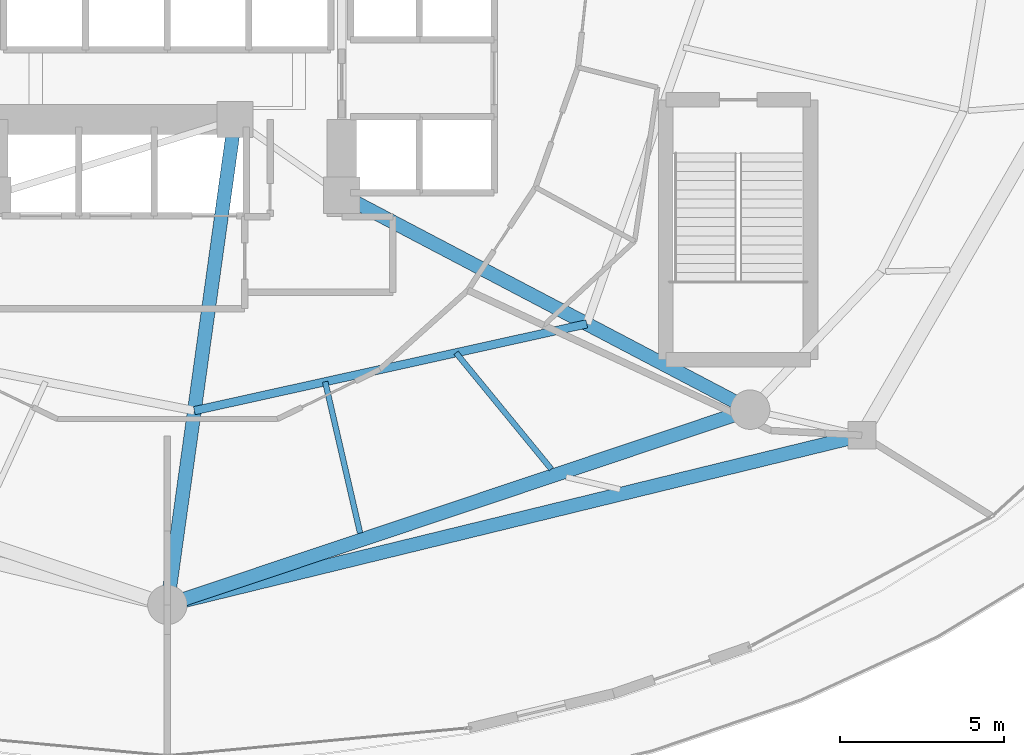
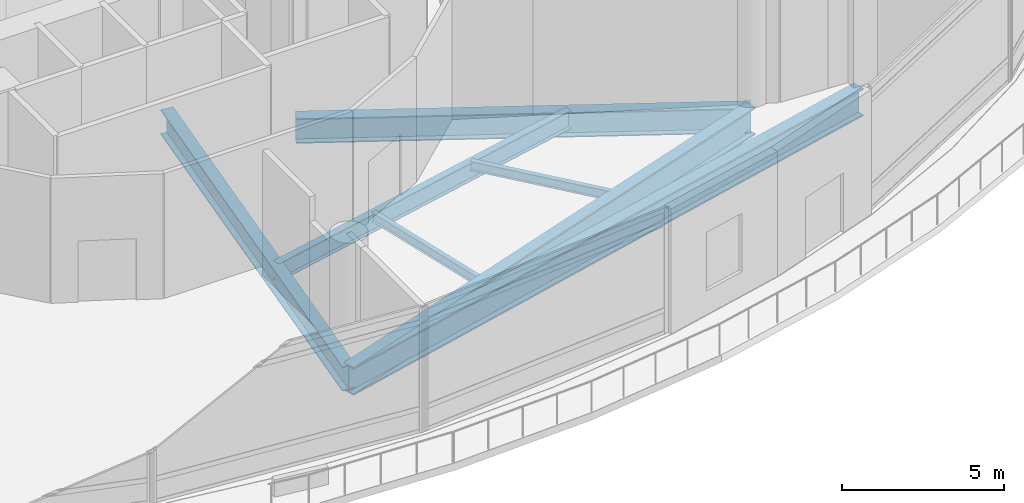
# One storey, part 10 of 36: 7 beams.
"""IFC4 building model written with IfcOpenShell, lengths in metres."""

from ifc_helpers import new_model, si_unit, direction, frame, origin, origin_2d, place, context, subcontext, project, spatial, i_section, extrude, material, material_profile, profile_set, type_object, element, save


model = new_model("IFC4")

# Units and contexts
model_context = context("Model", 3, precision=1e-05, world=origin(), true_north=direction((0.0, 1.0)))
body_context = subcontext(model_context, "Body", "Model", "MODEL_VIEW")
ifc_project = project(units=[si_unit("LENGTHUNIT", "METRE"), si_unit("AREAUNIT", "SQUARE_METRE"), si_unit("VOLUMEUNIT", "CUBIC_METRE"), si_unit("PLANEANGLEUNIT", "RADIAN"), si_unit("MASSUNIT", "GRAM", prefix="KILO")], contexts=[model_context])

# Site, building, storey
site_placement = place(None, origin())
site = spatial("IfcSite", under=ifc_project, at=site_placement, CompositionType="ELEMENT")
building_placement = place(site_placement, origin())
building = spatial("IfcBuilding", under=site, at=building_placement, Name="Nuhasar Tower", CompositionType="ELEMENT")
storey_placement = place(building_placement, frame((0.0, 0.0, 11.0)))
storey = spatial("IfcBuildingStorey", under=building, at=storey_placement, Name="L02", CompositionType="ELEMENT", Elevation=11.0)

# Beams
ifc_material_1 = material(Name="Steel S355", Category="steel")
ifc_material_profile_1 = material_profile(ifc_material_1, i_section(OverallWidth=0.25390625, OverallDepth=0.68408203125, WebThickness=0.012451171875, FlangeThickness=0.018798828125, at=origin_2d()), Name="W27X94")
ifc_profile_set_1 = profile_set([ifc_material_profile_1], Name="Steel S355")
beam_type_1 = type_object("IfcBeamType", Name="BM-INRING-W27X94", PredefinedType="BEAM", material=ifc_profile_set_1)
beam_1_placement = place(storey_placement, frame((39.820068359375, 12.449951171875, -0.64208984375), z_axis=(0.976386023343, 0.216033176665, 0.0), x_axis=(-0.216033176665, 0.976386023343, 0.0)))
element("IfcBeam", 1, at=beam_1_placement, inside=storey, type_object=beam_type_1, Name="L02 Inner Header Beam 02", PredefinedType="BEAM", context=body_context, shape_type="SweptSolid", body=[
    extrude(i_section(OverallWidth=0.25390625, OverallDepth=0.68408203125, WebThickness=0.012451171875, FlangeThickness=0.018798828125, at=origin_2d()), origin(), (0.0, 0.0, 1.0), 12.216552734375),
])
ifc_material_profile_2 = material_profile(ifc_material_1, i_section(OverallWidth=0.1708984375, OverallDepth=0.35205078125, WebThickness=0.0068359375, FlangeThickness=0.009765625, at=origin_2d()), Name="W14X30")
ifc_profile_set_2 = profile_set([ifc_material_profile_2], Name="Steel S355")
beam_type_2 = type_object("IfcBeamType", Name="BM-JST-W14X30", PredefinedType="JOIST", material=ifc_profile_set_2)
beam_2_placement = place(storey_placement, frame((43.7958984375, 13.330078125, -0.47607421875), z_axis=(0.224904818546, -0.974380738005, 0.0), x_axis=(0.974380738005, 0.224904818546, 0.0)))
element("IfcBeam", 2, at=beam_2_placement, inside=storey, type_object=beam_type_2, Name="L02 Secondary Floor Joist 03", PredefinedType="JOIST", context=body_context, shape_type="SweptSolid", body=[
    extrude(i_section(OverallWidth=0.1708984375, OverallDepth=0.35205078125, WebThickness=0.0068359375, FlangeThickness=0.009765625, at=origin_2d()), origin(), (0.0, 0.0, 1.0), 4.72216796875),
])
beam_3_placement = place(storey_placement, frame((47.77197265625, 14.208984375, -0.47607421875), z_axis=(0.633863002168, -0.773445340333, 0.0), x_axis=(0.773445340333, 0.633863002168, 0.0)))
element("IfcBeam", 3, at=beam_3_placement, inside=storey, type_object=beam_type_2, Name="L02 Secondary Floor Joist 04", PredefinedType="JOIST", context=body_context, shape_type="SweptSolid", body=[
    extrude(i_section(OverallWidth=0.1708984375, OverallDepth=0.35205078125, WebThickness=0.0068359375, FlangeThickness=0.009765625, at=origin_2d()), origin(), (0.0, 0.0, 1.0), 4.5703125),
])
ifc_material_profile_3 = material_profile(ifc_material_1, i_section(OverallWidth=0.419921875, OverallDepth=0.931884765625, WebThickness=0.021240234375, FlangeThickness=0.03662109375, at=origin_2d()), Name="W36X262")
ifc_profile_set_3 = profile_set([ifc_material_profile_3], Name="Steel S355")
beam_type_3 = type_object("IfcBeamType", Name="BM-POD-W36X262", PredefinedType="BEAM", material=ifc_profile_set_3)
beam_4_placement = place(storey_placement, frame((41.050048828125, 21.300048828125, -0.76611328125), z_axis=(-0.137663087856, -0.990479113481, 0.0), x_axis=(0.990479113481, -0.137663087856, 0.0)))
element("IfcBeam", 4, at=beam_4_placement, inside=storey, type_object=beam_type_3, Name="L02 Radial Floor Girder 02", PredefinedType="BEAM", context=body_context, shape_type="SweptSolid", body=[
    extrude(i_section(OverallWidth=0.419921875, OverallDepth=0.931884765625, WebThickness=0.021240234375, FlangeThickness=0.03662109375, at=origin_2d()), origin(), (0.0, 0.0, 1.0), 14.891845703125),
])
beam_5_placement = place(storey_placement, frame((44.300048828125, 19.0, -0.76611328125), z_axis=(0.885330348705, -0.464962550816, 0.0), x_axis=(0.464962550816, 0.885330348705, 0.0)))
element("IfcBeam", 5, at=beam_5_placement, inside=storey, type_object=beam_type_3, Name="L02 Radial Floor Girder 03", PredefinedType="BEAM", context=body_context, shape_type="SweptSolid", body=[
    extrude(i_section(OverallWidth=0.419921875, OverallDepth=0.931884765625, WebThickness=0.021240234375, FlangeThickness=0.03662109375, at=origin_2d()), origin(), (0.0, 0.0, 1.0), 14.0205078125),
])
ifc_material_2 = material(Name="Steel S460", Category="steel")
ifc_material_profile_4 = material_profile(ifc_material_2, i_section(OverallWidth=0.419921875, OverallDepth=1.0400390625, WebThickness=0.031005859375, FlangeThickness=0.055908203125, at=origin_2d()), Name="W40X397")
ifc_profile_set_4 = profile_set([ifc_material_profile_4], Name="Steel S460")
beam_type_4 = type_object("IfcBeamType", Name="BM-XFER-W40X397", PredefinedType="USERDEFINED", material=ifc_profile_set_4)
beam_6_placement = place(storey_placement, frame((39.0, 6.550048828125, -0.820068359375), z_axis=(0.948255042429, 0.317509644748, 0.0), x_axis=(-0.317509644748, 0.948255042429, 0.0)))
element("IfcBeam", 6, at=beam_6_placement, inside=storey, type_object=beam_type_4, Name="L02 Mega-Column Ring Girder 02", ObjectType="GIRDER", PredefinedType="USERDEFINED", context=body_context, shape_type="SweptSolid", body=[
    extrude(i_section(OverallWidth=0.419921875, OverallDepth=1.0400390625, WebThickness=0.031005859375, FlangeThickness=0.055908203125, at=origin_2d()), origin(), (0.0, 0.0, 1.0), 18.679443359375),
])
beam_7_placement = place(storey_placement, frame((39.0, 6.550048828125, -0.820068359375), z_axis=(0.971469463574, 0.237164671365, 0.0), x_axis=(-0.237164671365, 0.971469463574, 0.0)))
element("IfcBeam", 7, at=beam_7_placement, inside=storey, type_object=beam_type_4, Name="L02 Podium Ring Girder 02", ObjectType="GIRDER", PredefinedType="USERDEFINED", context=body_context, shape_type="SweptSolid", body=[
    extrude(i_section(OverallWidth=0.419921875, OverallDepth=1.0400390625, WebThickness=0.031005859375, FlangeThickness=0.055908203125, at=origin_2d()), origin(), (0.0, 0.0, 1.0), 21.726806640625),
])

save(model, "model.ifc")
